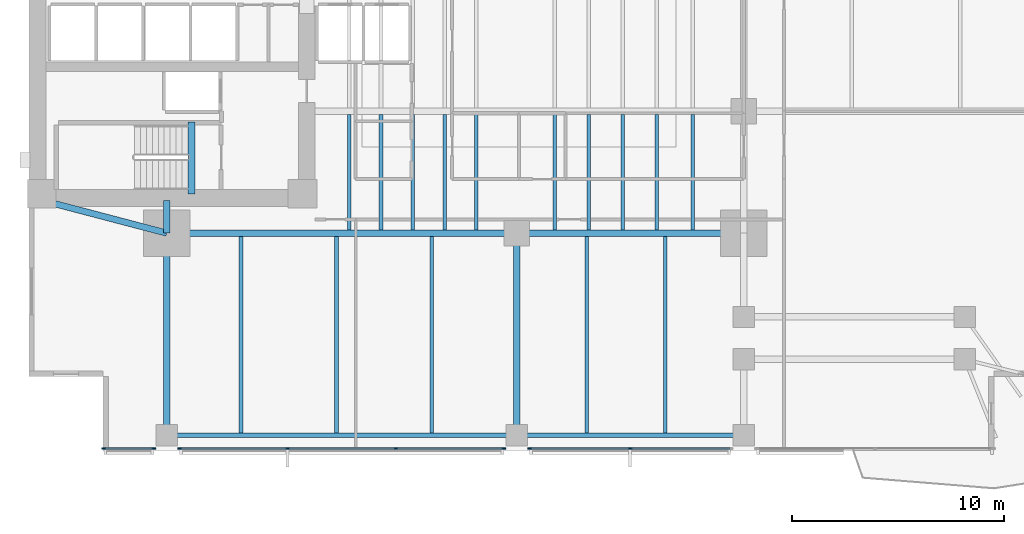
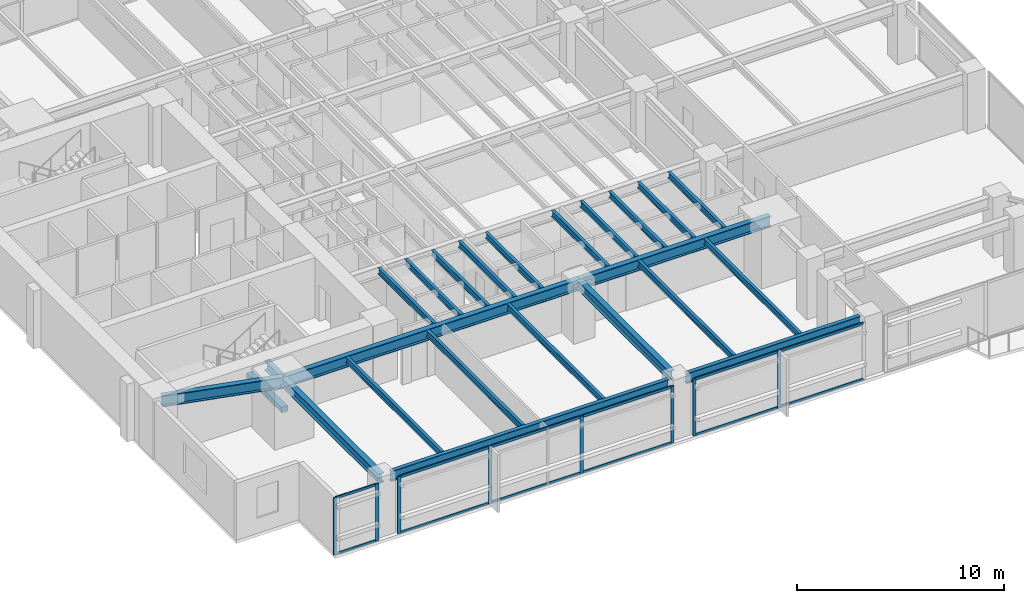
# One storey, part 2 of 15: 24 beams, 20 members, 3 elements without a shape of their own.
"""IFC4 building model written with IfcOpenShell, lengths in metres."""

from ifc_helpers import new_model, si_unit, direction, frame, origin, origin_2d, place, context, subcontext, project, spatial, rectangle, i_section, extrude, material, layer, layer_set, material_profile, profile_set, type_object, element, aggregate, save


model = new_model("IFC4")

# Units and contexts
model_context = context("Model", 3, precision=1e-05, world=origin(), true_north=direction((0.0, 1.0)))
body_context = subcontext(model_context, "Body", "Model", "MODEL_VIEW")
ifc_project = project(units=[si_unit("LENGTHUNIT", "METRE"), si_unit("AREAUNIT", "SQUARE_METRE"), si_unit("VOLUMEUNIT", "CUBIC_METRE"), si_unit("PLANEANGLEUNIT", "RADIAN"), si_unit("MASSUNIT", "GRAM", prefix="KILO")], contexts=[model_context])

# Site, building, storey
site_placement = place(None, origin())
site = spatial("IfcSite", under=ifc_project, at=site_placement, CompositionType="ELEMENT")
building_placement = place(site_placement, origin())
building = spatial("IfcBuilding", under=site, at=building_placement, Name="Kinhvarn Gate Tower", CompositionType="ELEMENT")
storey_placement = place(building_placement, frame((0.0, 0.0, 50.449951171875)))
storey = spatial("IfcBuildingStorey", under=building, at=storey_placement, Name="L12", CompositionType="ELEMENT", Elevation=50.449951171875)

# Beam
ifc_material_1 = material(Name="Concrete C50/60", Category="concrete")
ifc_material_profile_1 = material_profile(ifc_material_1, rectangle(XDim=0.340087890625, YDim=0.320068359375, at=origin_2d()), Name="RC 340x320")
ifc_profile_set_1 = profile_set([ifc_material_profile_1], Name="Concrete C50/60")
beam_type_1 = type_object("IfcBeamType", Name="BM-LND-500", PredefinedType="BEAM", material=ifc_profile_set_1)
beam_1_placement = place(storey_placement, frame((12.1650390625, 14.60009765625, -0.159912109375), z_axis=(0.0, 1.0, 0.0), x_axis=(-1.0, 0.0, 0.0)))
element("IfcBeam", 1, at=beam_1_placement, inside=storey, type_object=beam_type_1, Name="Stair ST1 Landing Nosing Beam (L12)", PredefinedType="BEAM", context=body_context, shape_type="SweptSolid", body=[
    extrude(rectangle(XDim=0.340087890625, YDim=0.320068359375, at=origin_2d()), origin(), (0.0, 0.0, 1.0), 3.39990234375),
])

# Curtain wall, members
ifc_material_2 = material(Name="Anodised aluminium AW-6063", Category="aluminium")
ifc_layer = layer(ifc_material_2, 0.179931640625)
ifc_layer_set = layer_set([ifc_layer], Name="Anodised aluminium AW-6063")
curtain_wall_type = type_object("IfcCurtainWallType", Name="CW-SYS-2", PredefinedType="NOTDEFINED", material=ifc_layer_set)
curtain_wall_1_placement = place(storey_placement, origin())
curtain_wall_1 = element("IfcCurtainWall", 2, at=curtain_wall_1_placement, inside=storey, type_object=curtain_wall_type, Name="Curtain Wall CW2 (L12)", PredefinedType="NOTDEFINED")
ifc_material_profile_2 = material_profile(ifc_material_2, rectangle(XDim=0.070068359375, YDim=0.179931640625, at=origin_2d()), Name="ALU 70x180")
ifc_profile_set_2 = profile_set([ifc_material_profile_2], Name="Anodised aluminium AW-6063")
member_type_1 = type_object("IfcMemberType", Name="CW-MUL-180", PredefinedType="MULLION", material=ifc_profile_set_2)
member_1_placement = place(storey_placement, frame((8.034912109375, 2.590087890625, 0.0), z_axis=(0.0, 0.0, 1.0), x_axis=(0.0, 1.0, 0.0)))
member_1 = element("IfcMember", 3, at=member_1_placement, type_object=member_type_1, Name="CW2 mullion 1", PredefinedType="MULLION", context=body_context, shape_type="SweptSolid", body=[
    extrude(rectangle(XDim=0.070068359375, YDim=0.179931640625, at=origin_2d()), origin(), (0.0, 0.0, 1.0), 3.3701171875),
])
member_2_placement = place(storey_placement, frame((10.385009765625, 2.590087890625, 0.0), z_axis=(0.0, 0.0, 1.0), x_axis=(0.0, 1.0, 0.0)))
member_2 = element("IfcMember", 4, at=member_2_placement, type_object=member_type_1, Name="CW2 mullion 2", PredefinedType="MULLION", context=body_context, shape_type="SweptSolid", body=[
    extrude(rectangle(XDim=0.070068359375, YDim=0.179931640625, at=origin_2d()), origin(), (0.0, 0.0, 1.0), 3.3701171875),
])

curtain_wall_2_placement = place(storey_placement, origin())
curtain_wall_2 = element("IfcCurtainWall", 5, at=curtain_wall_2_placement, inside=storey, type_object=curtain_wall_type, Name="Curtain Wall CW2 (L12)", PredefinedType="NOTDEFINED")
member_3_placement = place(storey_placement, frame((11.614990234375, 2.590087890625, 0.0), z_axis=(0.0, 0.0, 1.0), x_axis=(0.0, 1.0, 0.0)))
member_3 = element("IfcMember", 6, at=member_3_placement, type_object=member_type_1, Name="CW2 mullion 1", PredefinedType="MULLION", context=body_context, shape_type="SweptSolid", body=[
    extrude(rectangle(XDim=0.070068359375, YDim=0.179931640625, at=origin_2d()), origin(), (0.0, 0.0, 1.0), 3.3701171875),
])
member_4_placement = place(storey_placement, frame((16.693359375, 2.590087890625, 0.0), z_axis=(0.0, 0.0, 1.0), x_axis=(0.0, 1.0, 0.0)))
member_4 = element("IfcMember", 7, at=member_4_placement, type_object=member_type_1, Name="CW2 mullion 2", PredefinedType="MULLION", context=body_context, shape_type="SweptSolid", body=[
    extrude(rectangle(XDim=0.070068359375, YDim=0.179931640625, at=origin_2d()), origin(), (0.0, 0.0, 1.0), 3.3701171875),
])
member_5_placement = place(storey_placement, frame((21.806640625, 2.590087890625, 0.0), z_axis=(0.0, 0.0, 1.0), x_axis=(0.0, 1.0, 0.0)))
member_5 = element("IfcMember", 8, at=member_5_placement, type_object=member_type_1, Name="CW2 mullion 3", PredefinedType="MULLION", context=body_context, shape_type="SweptSolid", body=[
    extrude(rectangle(XDim=0.070068359375, YDim=0.179931640625, at=origin_2d()), origin(), (0.0, 0.0, 1.0), 3.3701171875),
])
member_6_placement = place(storey_placement, frame((26.885009765625, 2.590087890625, 0.0), z_axis=(0.0, 0.0, 1.0), x_axis=(0.0, 1.0, 0.0)))
member_6 = element("IfcMember", 9, at=member_6_placement, type_object=member_type_1, Name="CW2 mullion 4", PredefinedType="MULLION", context=body_context, shape_type="SweptSolid", body=[
    extrude(rectangle(XDim=0.070068359375, YDim=0.179931640625, at=origin_2d()), origin(), (0.0, 0.0, 1.0), 3.3701171875),
])

curtain_wall_3_placement = place(storey_placement, origin())
curtain_wall_3 = element("IfcCurtainWall", 10, at=curtain_wall_3_placement, inside=storey, type_object=curtain_wall_type, Name="Curtain Wall CW2 (L12)", PredefinedType="NOTDEFINED")
member_7_placement = place(storey_placement, frame((28.114990234375, 2.590087890625, 0.0), z_axis=(0.0, 0.0, 1.0), x_axis=(0.0, 1.0, 0.0)))
member_7 = element("IfcMember", 11, at=member_7_placement, type_object=member_type_1, Name="CW2 mullion 1", PredefinedType="MULLION", context=body_context, shape_type="SweptSolid", body=[
    extrude(rectangle(XDim=0.070068359375, YDim=0.179931640625, at=origin_2d()), origin(), (0.0, 0.0, 1.0), 3.3701171875),
])
member_8_placement = place(storey_placement, frame((32.85009765625, 2.590087890625, 0.0), z_axis=(0.0, 0.0, 1.0), x_axis=(0.0, 1.0, 0.0)))
member_8 = element("IfcMember", 12, at=member_8_placement, type_object=member_type_1, Name="CW2 mullion 2", PredefinedType="MULLION", context=body_context, shape_type="SweptSolid", body=[
    extrude(rectangle(XDim=0.070068359375, YDim=0.179931640625, at=origin_2d()), origin(), (0.0, 0.0, 1.0), 3.3701171875),
])

# Member
ifc_material_profile_3 = material_profile(ifc_material_2, rectangle(XDim=0.070068359375, YDim=0.139892578125, at=origin_2d()), Name="ALU 70x140")
ifc_profile_set_3 = profile_set([ifc_material_profile_3], Name="Anodised aluminium AW-6063")
member_type_2 = type_object("IfcMemberType", Name="CW-TRN-140", PredefinedType="USERDEFINED", material=ifc_profile_set_3)
member_9_placement = place(storey_placement, frame((8.070068359375, 2.590087890625, 0.03515625), z_axis=(1.0, 0.0, 0.0), x_axis=(0.0, 1.0, 0.0)))
member_9 = element("IfcMember", 13, at=member_9_placement, type_object=member_type_2, Name="CW2 transom 1.1", ObjectType="TRANSOM", PredefinedType="USERDEFINED", context=body_context, shape_type="SweptSolid", body=[
    extrude(rectangle(XDim=0.070068359375, YDim=0.139892578125, at=origin_2d()), origin(), (0.0, 0.0, 1.0), 2.280029296875),
])

member_10_placement = place(storey_placement, frame((8.070068359375, 2.590087890625, 3.3349609375), z_axis=(1.0, 0.0, 0.0), x_axis=(0.0, 1.0, 0.0)))
member_10 = element("IfcMember", 14, at=member_10_placement, type_object=member_type_2, Name="CW2 transom 1.2", ObjectType="TRANSOM", PredefinedType="USERDEFINED", context=body_context, shape_type="SweptSolid", body=[
    extrude(rectangle(XDim=0.070068359375, YDim=0.139892578125, at=origin_2d()), origin(), (0.0, 0.0, 1.0), 2.280029296875),
])

aggregate(curtain_wall_1, [member_1, member_2, member_9, member_10])

member_11_placement = place(storey_placement, frame((11.64990234375, 2.590087890625, 0.03515625), z_axis=(1.0, 0.0, 0.0), x_axis=(0.0, 1.0, 0.0)))
member_11 = element("IfcMember", 15, at=member_11_placement, type_object=member_type_2, Name="CW2 transom 1.1", ObjectType="TRANSOM", PredefinedType="USERDEFINED", context=body_context, shape_type="SweptSolid", body=[
    extrude(rectangle(XDim=0.070068359375, YDim=0.139892578125, at=origin_2d()), origin(), (0.0, 0.0, 1.0), 5.008544921875),
])

member_12_placement = place(storey_placement, frame((11.64990234375, 2.590087890625, 3.3349609375), z_axis=(1.0, 0.0, 0.0), x_axis=(0.0, 1.0, 0.0)))
member_12 = element("IfcMember", 16, at=member_12_placement, type_object=member_type_2, Name="CW2 transom 1.2", ObjectType="TRANSOM", PredefinedType="USERDEFINED", context=body_context, shape_type="SweptSolid", body=[
    extrude(rectangle(XDim=0.070068359375, YDim=0.139892578125, at=origin_2d()), origin(), (0.0, 0.0, 1.0), 5.008544921875),
])

member_13_placement = place(storey_placement, frame((16.728271484375, 2.590087890625, 0.03515625), z_axis=(1.0, 0.0, 0.0), x_axis=(0.0, 1.0, 0.0)))
member_13 = element("IfcMember", 17, at=member_13_placement, type_object=member_type_2, Name="CW2 transom 2.1", ObjectType="TRANSOM", PredefinedType="USERDEFINED", context=body_context, shape_type="SweptSolid", body=[
    extrude(rectangle(XDim=0.070068359375, YDim=0.139892578125, at=origin_2d()), origin(), (0.0, 0.0, 1.0), 5.04345703125),
])

member_14_placement = place(storey_placement, frame((16.728271484375, 2.590087890625, 3.3349609375), z_axis=(1.0, 0.0, 0.0), x_axis=(0.0, 1.0, 0.0)))
member_14 = element("IfcMember", 18, at=member_14_placement, type_object=member_type_2, Name="CW2 transom 2.2", ObjectType="TRANSOM", PredefinedType="USERDEFINED", context=body_context, shape_type="SweptSolid", body=[
    extrude(rectangle(XDim=0.070068359375, YDim=0.139892578125, at=origin_2d()), origin(), (0.0, 0.0, 1.0), 5.04345703125),
])

member_15_placement = place(storey_placement, frame((21.841552734375, 2.590087890625, 0.03515625), z_axis=(1.0, 0.0, 0.0), x_axis=(0.0, 1.0, 0.0)))
member_15 = element("IfcMember", 19, at=member_15_placement, type_object=member_type_2, Name="CW2 transom 3.1", ObjectType="TRANSOM", PredefinedType="USERDEFINED", context=body_context, shape_type="SweptSolid", body=[
    extrude(rectangle(XDim=0.070068359375, YDim=0.139892578125, at=origin_2d()), origin(), (0.0, 0.0, 1.0), 5.008544921875),
])

member_16_placement = place(storey_placement, frame((21.841552734375, 2.590087890625, 3.3349609375), z_axis=(1.0, 0.0, 0.0), x_axis=(0.0, 1.0, 0.0)))
member_16 = element("IfcMember", 20, at=member_16_placement, type_object=member_type_2, Name="CW2 transom 3.2", ObjectType="TRANSOM", PredefinedType="USERDEFINED", context=body_context, shape_type="SweptSolid", body=[
    extrude(rectangle(XDim=0.070068359375, YDim=0.139892578125, at=origin_2d()), origin(), (0.0, 0.0, 1.0), 5.008544921875),
])

aggregate(curtain_wall_2, [member_3, member_4, member_5, member_6, member_11, member_12, member_13, member_14, member_15, member_16])

member_17_placement = place(storey_placement, frame((28.14990234375, 2.590087890625, 0.03515625), z_axis=(1.0, 0.0, 0.0), x_axis=(0.0, 1.0, 0.0)))
member_17 = element("IfcMember", 21, at=member_17_placement, type_object=member_type_2, Name="CW2 transom 1.1", ObjectType="TRANSOM", PredefinedType="USERDEFINED", context=body_context, shape_type="SweptSolid", body=[
    extrude(rectangle(XDim=0.070068359375, YDim=0.139892578125, at=origin_2d()), origin(), (0.0, 0.0, 1.0), 4.6650390625),
])

member_18_placement = place(storey_placement, frame((28.14990234375, 2.590087890625, 3.3349609375), z_axis=(1.0, 0.0, 0.0), x_axis=(0.0, 1.0, 0.0)))
member_18 = element("IfcMember", 22, at=member_18_placement, type_object=member_type_2, Name="CW2 transom 1.2", ObjectType="TRANSOM", PredefinedType="USERDEFINED", context=body_context, shape_type="SweptSolid", body=[
    extrude(rectangle(XDim=0.070068359375, YDim=0.139892578125, at=origin_2d()), origin(), (0.0, 0.0, 1.0), 4.6650390625),
])

member_19_placement = place(storey_placement, frame((32.885009765625, 2.590087890625, 0.03515625), z_axis=(1.0, 0.0, 0.0), x_axis=(0.0, 1.0, 0.0)))
member_19 = element("IfcMember", 23, at=member_19_placement, type_object=member_type_2, Name="CW2 transom 2.1", ObjectType="TRANSOM", PredefinedType="USERDEFINED", context=body_context, shape_type="SweptSolid", body=[
    extrude(rectangle(XDim=0.070068359375, YDim=0.139892578125, at=origin_2d()), origin(), (0.0, 0.0, 1.0), 4.6650390625),
])

member_20_placement = place(storey_placement, frame((32.885009765625, 2.590087890625, 3.3349609375), z_axis=(1.0, 0.0, 0.0), x_axis=(0.0, 1.0, 0.0)))
member_20 = element("IfcMember", 24, at=member_20_placement, type_object=member_type_2, Name="CW2 transom 2.2", ObjectType="TRANSOM", PredefinedType="USERDEFINED", context=body_context, shape_type="SweptSolid", body=[
    extrude(rectangle(XDim=0.070068359375, YDim=0.139892578125, at=origin_2d()), origin(), (0.0, 0.0, 1.0), 4.6650390625),
])

aggregate(curtain_wall_3, [member_7, member_8, member_17, member_18, member_19, member_20])

# Beams
ifc_material_3 = material(Name="Steel S355", Category="steel")
ifc_material_profile_4 = material_profile(ifc_material_3, i_section(OverallWidth=0.300048828125, OverallDepth=0.550048828125, WebThickness=0.014892578125, FlangeThickness=0.029052734375, at=origin_2d()), Name="HEB 550")
ifc_profile_set_4 = profile_set([ifc_material_profile_4], Name="Steel S355")
beam_type_2 = type_object("IfcBeamType", Name="STL-HEB550", PredefinedType="BEAM", material=ifc_profile_set_4)
beam_2_placement = place(storey_placement, frame((11.0, 3.219970703125, 3.094970703125), z_axis=(0.0, 1.0, 0.0), x_axis=(-1.0, 0.0, 0.0)))
element("IfcBeam", 25, at=beam_2_placement, inside=storey, type_object=beam_type_2, Name="Floor Beam PG-15 (L12 MCW-S)", PredefinedType="BEAM", context=body_context, shape_type="SweptSolid", body=[
    extrude(i_section(OverallWidth=0.300048828125, OverallDepth=0.550048828125, WebThickness=0.014892578125, FlangeThickness=0.029052734375, at=origin_2d()), origin(), (0.0, 0.0, 1.0), 9.530029296875),
])
beam_3_placement = place(storey_placement, frame((11.0, 12.75, 3.094970703125), z_axis=(0.0, 1.0, 0.0), x_axis=(-1.0, 0.0, 0.0)))
element("IfcBeam", 26, at=beam_3_placement, inside=storey, type_object=beam_type_2, Name="Floor Beam PG-15 (L12 MCW-CS)", PredefinedType="BEAM", context=body_context, shape_type="SweptSolid", body=[
    extrude(i_section(OverallWidth=0.300048828125, OverallDepth=0.550048828125, WebThickness=0.014892578125, FlangeThickness=0.029052734375, at=origin_2d()), origin(), (0.0, 0.0, 1.0), 1.550048828125),
])
beam_4_placement = place(storey_placement, frame((27.5, 3.705078125, 3.094970703125), z_axis=(0.0, 1.0, 0.0), x_axis=(-1.0, 0.0, 0.0)))
element("IfcBeam", 27, at=beam_4_placement, inside=storey, type_object=beam_type_2, Name="Floor Beam PG-15 (L12 SP27-S-TIE)", PredefinedType="BEAM", context=body_context, shape_type="SweptSolid", body=[
    extrude(i_section(OverallWidth=0.300048828125, OverallDepth=0.550048828125, WebThickness=0.014892578125, FlangeThickness=0.029052734375, at=origin_2d()), origin(), (0.0, 0.0, 1.0), 9.044921875),
])
ifc_material_profile_5 = material_profile(ifc_material_3, i_section(OverallWidth=0.300048828125, OverallDepth=0.64990234375, WebThickness=0.01611328125, FlangeThickness=0.031005859375, at=origin_2d()), Name="HEB 650")
ifc_profile_set_5 = profile_set([ifc_material_profile_5], Name="Steel S355")
beam_type_3 = type_object("IfcBeamType", Name="STL-HEB650", PredefinedType="BEAM", material=ifc_profile_set_5)
beam_5_placement = place(storey_placement, frame((11.0, 12.75, 3.045166015625), z_axis=(1.0, 0.0, 0.0), x_axis=(0.0, 1.0, 0.0)))
element("IfcBeam", 28, at=beam_5_placement, inside=storey, type_object=beam_type_3, Name="Floor Beam PG-17 (L12 MG-S1)", PredefinedType="BEAM", context=body_context, shape_type="SweptSolid", body=[
    extrude(i_section(OverallWidth=0.300048828125, OverallDepth=0.64990234375, WebThickness=0.01611328125, FlangeThickness=0.031005859375, at=origin_2d()), origin(), (0.0, 0.0, 1.0), 16.5),
])
beam_6_placement = place(storey_placement, frame((27.5, 12.75, 3.045166015625), z_axis=(1.0, 0.0, 0.0), x_axis=(0.0, 1.0, 0.0)))
element("IfcBeam", 29, at=beam_6_placement, inside=storey, type_object=beam_type_3, Name="Floor Beam PG-17 (L12 MG-S2)", PredefinedType="BEAM", context=body_context, shape_type="SweptSolid", body=[
    extrude(i_section(OverallWidth=0.300048828125, OverallDepth=0.64990234375, WebThickness=0.01611328125, FlangeThickness=0.031005859375, at=origin_2d()), origin(), (0.0, 0.0, 1.0), 10.699951171875),
])
beam_7_placement = place(storey_placement, frame((5.10009765625, 14.300048828125, 3.045166015625), z_axis=(0.967177623957, -0.254101246979, 0.0), x_axis=(0.254101246979, 0.967177623957, 0.0)))
element("IfcBeam", 30, at=beam_7_placement, inside=storey, type_object=beam_type_3, Name="Floor Beam PG-17 (L12 MG-SW-DIAG)", PredefinedType="BEAM", context=body_context, shape_type="SweptSolid", body=[
    extrude(i_section(OverallWidth=0.300048828125, OverallDepth=0.64990234375, WebThickness=0.01611328125, FlangeThickness=0.031005859375, at=origin_2d()), origin(), (0.0, 0.0, 1.0), 6.10009765625),
])
ifc_material_profile_6 = material_profile(ifc_material_3, i_section(OverallWidth=0.169921875, OverallDepth=0.360107421875, WebThickness=0.008056640625, FlangeThickness=0.0126953125, at=origin_2d()), Name="IPE 360")
ifc_profile_set_6 = profile_set([ifc_material_profile_6], Name="Steel S355")
beam_type_4 = type_object("IfcBeamType", Name="STL-IPE360", PredefinedType="JOIST", material=ifc_profile_set_6)
for number, where, z_axis, x_axis, name in (
    (31, (19.60009765625, 12.89990234375, 3.18994140625), (0.0, 1.0, 0.0), (-1.0, 0.0, 0.0), "Floor Joist SB-04 (L12 JC-X196-0)"),
    (32, (21.10009765625, 12.89990234375, 3.18994140625), (0.0, 1.0, 0.0), (-1.0, 0.0, 0.0), "Floor Joist SB-04 (L12 JC-X211-0)"),
    (33, (22.60009765625, 12.89990234375, 3.18994140625), (0.0, 1.0, 0.0), (-1.0, 0.0, 0.0), "Floor Joist SB-04 (L12 JC-X226-0)"),
    (34, (24.10009765625, 12.89990234375, 3.18994140625), (0.0, 1.0, 0.0), (-1.0, 0.0, 0.0), "Floor Joist SB-04 (L12 JC-X241-0)"),
    (35, (25.60009765625, 12.89990234375, 3.18994140625), (0.0, 1.0, 0.0), (-1.0, 0.0, 0.0), "Floor Joist SB-04 (L12 JC-X256-0)"),
    (36, (29.300048828125, 12.89990234375, 3.18994140625), (0.0, 1.0, 0.0), (-1.0, 0.0, 0.0), "Floor Joist SB-04 (L12 JC-X293-0)"),
    (37, (30.89990234375, 12.89990234375, 3.18994140625), (0.0, 1.0, 0.0), (-1.0, 0.0, 0.0), "Floor Joist SB-04 (L12 JC-X309-0)"),
    (38, (32.5, 12.89990234375, 3.18994140625), (0.0, 1.0, 0.0), (-1.0, 0.0, 0.0), "Floor Joist SB-04 (L12 JC-X325-0)"),
    (39, (34.10009765625, 12.89990234375, 3.18994140625), (0.0, 1.0, 0.0), (-1.0, 0.0, 0.0), "Floor Joist SB-04 (L12 JC-X341-0)"),
    (40, (35.800048828125, 12.89990234375, 3.18994140625), (0.0, 1.0, 0.0), (-1.0, 0.0, 0.0), "Floor Joist SB-04 (L12 JC-X358-0)"),
):
    element("IfcBeam", number, at=place(storey_placement, frame(where, z_axis=z_axis, x_axis=x_axis)), inside=storey, type_object=beam_type_4, Name=name, PredefinedType="JOIST", context=body_context, shape_type="SweptSolid", body=[
        extrude(i_section(OverallWidth=0.169921875, OverallDepth=0.360107421875, WebThickness=0.008056640625, FlangeThickness=0.0126953125, at=origin_2d()), origin(), (0.0, 0.0, 1.0), 5.4501953125),
    ])
for number, where, z_axis, x_axis, name in (
    (41, (14.5, 3.330078125, 3.18994140625), (0.0, 1.0, 0.0), (-1.0, 0.0, 0.0), "Floor Joist SB-04 (L12 JS-X145)"),
    (42, (19.0, 3.330078125, 3.18994140625), (0.0, 1.0, 0.0), (-1.0, 0.0, 0.0), "Floor Joist SB-04 (L12 JS-X190)"),
    (43, (23.5, 3.330078125, 3.18994140625), (0.0, 1.0, 0.0), (-1.0, 0.0, 0.0), "Floor Joist SB-04 (L12 JS-X235)"),
    (44, (30.800048828125, 3.330078125, 3.18994140625), (0.0, 1.0, 0.0), (-1.0, 0.0, 0.0), "Floor Joist SB-04 (L12 JS-X308)"),
    (45, (34.5, 3.330078125, 3.18994140625), (0.0, 1.0, 0.0), (-1.0, 0.0, 0.0), "Floor Joist SB-04 (L12 JS-X345)"),
):
    element("IfcBeam", number, at=place(storey_placement, frame(where, z_axis=z_axis, x_axis=x_axis)), inside=storey, type_object=beam_type_4, Name=name, PredefinedType="JOIST", context=body_context, shape_type="SweptSolid", body=[
        extrude(i_section(OverallWidth=0.169921875, OverallDepth=0.360107421875, WebThickness=0.008056640625, FlangeThickness=0.0126953125, at=origin_2d()), origin(), (0.0, 0.0, 1.0), 9.27001953125),
    ])
ifc_material_profile_7 = material_profile(ifc_material_3, i_section(OverallWidth=0.219970703125, OverallDepth=0.60009765625, WebThickness=0.011962890625, FlangeThickness=0.01904296875, at=origin_2d()), Name="IPE 600")
ifc_profile_set_7 = profile_set([ifc_material_profile_7], Name="Steel S355")
beam_type_5 = type_object("IfcBeamType", Name="STL-IPE600", PredefinedType="SPANDREL", material=ifc_profile_set_7)
beam_8_placement = place(storey_placement, frame((11.485107421875, 3.219970703125, 3.070068359375), z_axis=(1.0, 0.0, 0.0), x_axis=(0.0, 1.0, 0.0)))
element("IfcBeam", 46, at=beam_8_placement, inside=storey, type_object=beam_type_5, Name="Floor Spandrel SB-09 (L12 SP-S1)", PredefinedType="SPANDREL", context=body_context, shape_type="SweptSolid", body=[
    extrude(i_section(OverallWidth=0.219970703125, OverallDepth=0.60009765625, WebThickness=0.011962890625, FlangeThickness=0.01904296875, at=origin_2d()), origin(), (0.0, 0.0, 1.0), 15.52978515625),
])
beam_9_placement = place(storey_placement, frame((27.985107421875, 3.219970703125, 3.070068359375), z_axis=(1.0, 0.0, 0.0), x_axis=(0.0, 1.0, 0.0)))
element("IfcBeam", 47, at=beam_9_placement, inside=storey, type_object=beam_type_5, Name="Floor Spandrel SB-09 (L12 SP-S2)", PredefinedType="SPANDREL", context=body_context, shape_type="SweptSolid", body=[
    extrude(i_section(OverallWidth=0.219970703125, OverallDepth=0.60009765625, WebThickness=0.011962890625, FlangeThickness=0.01904296875, at=origin_2d()), origin(), (0.0, 0.0, 1.0), 9.72998046875),
])

save(model, "model.ifc")
